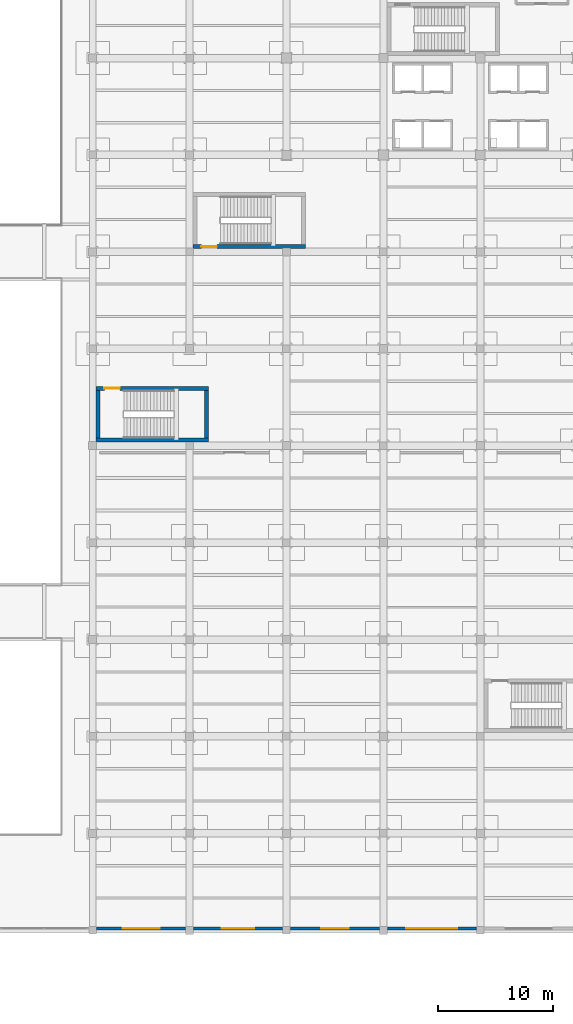
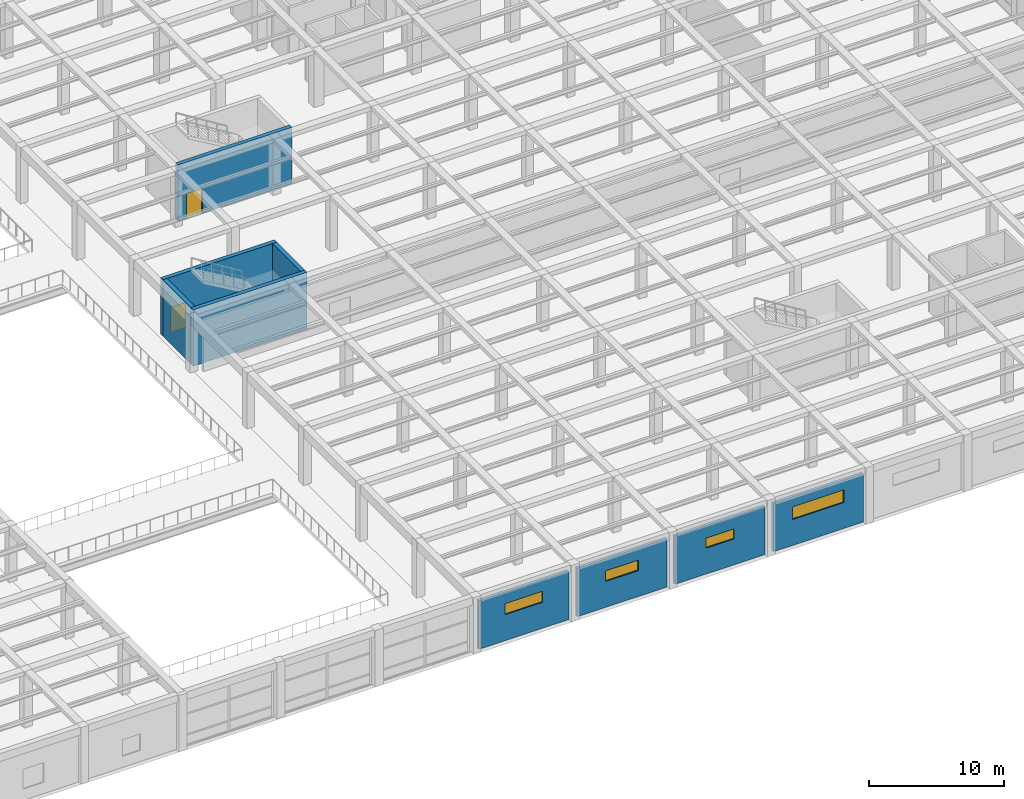
# One storey, part 78 of 95: 9 walls, 4 windows, 2 doors, 6 openings.
"""IFC4 building model written with IfcOpenShell, lengths in metres."""

from ifc_helpers import new_model, si_unit, direction, frame, frame_2d, origin, place, context, subcontext, project, spatial, rectangle, extrude, material, layer, layer_set, type_object, element, fill, save


model = new_model("IFC4")

# Units and contexts
model_context = context("Model", 3, precision=1e-05, world=origin(), true_north=direction((0.0, 1.0)))
body_context = subcontext(model_context, "Body", "Model", "MODEL_VIEW")
ifc_project = project(units=[si_unit("LENGTHUNIT", "METRE"), si_unit("AREAUNIT", "SQUARE_METRE"), si_unit("VOLUMEUNIT", "CUBIC_METRE"), si_unit("PLANEANGLEUNIT", "RADIAN"), si_unit("MASSUNIT", "GRAM", prefix="KILO")], contexts=[model_context])

# Site, building, storey
site_placement = place(None, origin())
site = spatial("IfcSite", under=ifc_project, at=site_placement, CompositionType="ELEMENT")
building_placement = place(site_placement, origin())
building = spatial("IfcBuilding", under=site, at=building_placement, Name="Almacenes y Pasaje Nevantli", CompositionType="ELEMENT")
storey_placement = place(building_placement, frame((0.0, 0.0, 11.39990234375)))
storey = spatial("IfcBuildingStorey", under=building, at=storey_placement, Name="L03", CompositionType="ELEMENT", Elevation=11.39990234375)

# Wall
ifc_material_1 = material(Name="Concrete C45/55", Category="concrete")
ifc_layer_1 = layer(ifc_material_1, 0.35009765625)
ifc_layer_set_1 = layer_set([ifc_layer_1], Name="Concrete C45/55")
wall_type_1 = type_object("IfcWallType", Name="WL-CORE-350", PredefinedType="SHEAR", material=ifc_layer_set_1)
wall_1_placement = place(storey_placement, frame((92.699951171875, 42.47509765625, 0.0), z_axis=(0.0, 0.0, 1.0), x_axis=(1.0, 0.0, 0.0)))
element("IfcWall", 1, at=wall_1_placement, inside=storey, type_object=wall_type_1, Name="L03 Exit Stair ST-08 South Core Shear Wall", PredefinedType="SHEAR", context=body_context, shape_type="SweptSolid", body=[
    extrude(rectangle(XDim=9.75, YDim=0.35009765625, at=frame_2d((4.875, 0.0))), origin(), (0.0, 0.0, 1.0), 5.10009765625),
])

# Wall, opening, door
wall_2_placement = place(storey_placement, frame((92.699951171875, 46.97509765625, 0.0), z_axis=(0.0, 0.0, 1.0), x_axis=(1.0, 0.0, 0.0)))
wall_2 = element("IfcWall", 2, at=wall_2_placement, inside=storey, type_object=wall_type_1, Name="L03 Exit Stair ST-08 North Core Shear Wall", PredefinedType="SHEAR", context=body_context, shape_type="SweptSolid", body=[
    extrude(rectangle(XDim=9.75, YDim=0.35009765625, at=frame_2d((4.875, 0.0))), origin(), (0.0, 0.0, 1.0), 5.10009765625),
])
opening_1_placement = place(wall_2_placement, frame((0.719970703125, 0.0, 0.0)))
opening_1 = element("IfcOpeningElement", 3, at=opening_1_placement, cuts=wall_2, Name="Opening SD-08-L03", PredefinedType="OPENING", context=body_context, shape_type="SweptSolid", body=[
    extrude(rectangle(XDim=1.35009765625, YDim=2.25, at=frame_2d((0.675048828125, 1.125))), frame((0.0, 0.18505859375, 0.0), z_axis=(0.0, -1.0, 0.0), x_axis=(1.0, 0.0, 0.0)), (0.0, 0.0, 1.0), 0.3701171875),
])
ifc_material_2 = material(Name="Galvanized Fire-Rated Steel", Category="steel")
door_type_1 = type_object("IfcDoorType", Name="DR-STAIR-1350R", OperationType="SINGLE_SWING_RIGHT", PredefinedType="DOOR", material=ifc_material_2)
door_1_placement = place(opening_1_placement, origin())
door_1 = element("IfcDoor", 4, at=door_1_placement, inside=storey, type_object=door_type_1, Name="L03 Smokeproof Exit Stair ST-08 Fire Door", OperationType="SINGLE_SWING_RIGHT", OverallHeight=2.25, OverallWidth=1.35009765625, PredefinedType="DOOR", context=body_context, shape_type="SweptSolid", body=[
    extrude(rectangle(XDim=1.35009765625, YDim=2.25, at=frame_2d((0.675048828125, 1.125))), frame((0.0, 0.02490234375, 0.0), z_axis=(0.0, -1.0, 0.0), x_axis=(1.0, 0.0, 0.0)), (0.0, 0.0, 1.0), 0.050048828125),
])
fill(opening_1, door_1)

# Walls
for number, where, z_axis, x_axis, name in (
    (5, (92.875, 42.64990234375, 0.0), (0.0, 0.0, 1.0), (0.0, 1.0, 0.0), "L03 Exit Stair ST-08 West Core Shear Wall"),
    (6, (102.27490234375, 42.64990234375, 0.0), (0.0, 0.0, 1.0), (0.0, 1.0, 0.0), "L03 Exit Stair ST-08 East Core Shear Wall"),
):
    element("IfcWall", number, at=place(storey_placement, frame(where, z_axis=z_axis, x_axis=x_axis)), inside=storey, type_object=wall_type_1, Name=name, PredefinedType="SHEAR", context=body_context, shape_type="SweptSolid", body=[
        extrude(rectangle(XDim=4.150146484375, YDim=0.35009765625, at=frame_2d((2.0751953125, 0.0))), origin(), (0.0, 0.0, 1.0), 5.10009765625),
    ])

# Wall, opening, door
wall_3_placement = place(storey_placement, frame((101.10009765625, 59.27490234375, 0.0), z_axis=(0.0, 0.0, 1.0), x_axis=(1.0, 0.0, 0.0)))
wall_3 = element("IfcWall", 7, at=wall_3_placement, inside=storey, type_object=wall_type_1, Name="L03 Exit Stair ST-13 South Core Shear Wall", PredefinedType="SHEAR", context=body_context, shape_type="SweptSolid", body=[
    extrude(rectangle(XDim=9.75, YDim=0.35009765625, at=frame_2d((4.875, 0.0))), origin(), (0.0, 0.0, 1.0), 5.10009765625),
])
opening_2_placement = place(wall_3_placement, frame((0.719970703125, 0.0, 0.0)))
opening_2 = element("IfcOpeningElement", 8, at=opening_2_placement, cuts=wall_3, Name="Opening SD-13-L03", PredefinedType="OPENING", context=body_context, shape_type="SweptSolid", body=[
    extrude(rectangle(XDim=1.35009765625, YDim=2.25, at=frame_2d((0.675048828125, 1.125))), frame((0.0, 0.18505859375, 0.0), z_axis=(0.0, -1.0, 0.0), x_axis=(1.0, 0.0, 0.0)), (0.0, 0.0, 1.0), 0.3701171875),
])
ifc_material_3 = material(Name="Galvanized Fire-Rated Steel", Category="steel")
door_type_2 = type_object("IfcDoorType", Name="DR-STAIR-1350", OperationType="SINGLE_SWING_LEFT", PredefinedType="DOOR", material=ifc_material_3)
door_2_placement = place(opening_2_placement, origin())
door_2 = element("IfcDoor", 9, at=door_2_placement, inside=storey, type_object=door_type_2, Name="L03 Smokeproof Exit Stair ST-13 Fire Door", OperationType="SINGLE_SWING_LEFT", OverallHeight=2.25, OverallWidth=1.35009765625, PredefinedType="DOOR", context=body_context, shape_type="SweptSolid", body=[
    extrude(rectangle(XDim=1.35009765625, YDim=2.25, at=frame_2d((0.675048828125, 1.125))), frame((0.0, 0.02490234375, 0.0), z_axis=(0.0, -1.0, 0.0), x_axis=(1.0, 0.0, 0.0)), (0.0, 0.0, 1.0), 0.050048828125),
])
fill(opening_2, door_2)

# Wall, opening, window
ifc_material_4 = material(Name="Cream Architectural Precast Concrete C35/45 Wall", Category="concrete")
ifc_layer_2 = layer(ifc_material_4, 0.260009765625)
ifc_layer_set_2 = layer_set([ifc_layer_2], Name="Cream Architectural Precast Concrete C35/45 Wall")
wall_type_2 = type_object("IfcWallType", Name="WL-EXT-PRECAST-260", PredefinedType="SOLIDWALL", material=ifc_layer_set_2)
wall_4_placement = place(storey_placement, frame((92.72802734375, 0.14990234375, 0.0), z_axis=(0.0, 0.0, 1.0), x_axis=(1.0, 0.0, 0.0)))
wall_4 = element("IfcWall", 10, at=wall_4_placement, inside=storey, type_object=wall_type_2, Name="L03 South Stockroom Clerestory Wall Bay 12", PredefinedType="SOLIDWALL", context=body_context, shape_type="SweptSolid", body=[
    extrude(rectangle(XDim=7.719970703125, YDim=0.260009765625, at=frame_2d((3.85986328125, 0.0))), origin(), (0.0, 0.0, 1.0), 4.380126953125),
])
opening_3_placement = place(wall_4_placement, frame((2.27197265625, 0.0, 2.35009765625)))
opening_3 = element("IfcOpeningElement", 11, at=opening_3_placement, cuts=wall_4, Name="Opening WT-23-104", PredefinedType="OPENING", context=body_context, shape_type="SweptSolid", body=[
    extrude(rectangle(XDim=3.199951171875, YDim=1.0, at=frame_2d((1.60009765625, 0.5))), frame((0.0, 0.139892578125, 0.0), z_axis=(0.0, -1.0, 0.0), x_axis=(1.0, 0.0, 0.0)), (0.0, 0.0, 1.0), 0.280029296875),
])
ifc_material_5 = material(Name="Thermally Broken Aluminium and Low-E Double Glazing", Category="aluminium")
window_type_1 = type_object("IfcWindowType", Name="WN-CLR-3200x1000", PartitioningType="SINGLE_PANEL", PredefinedType="WINDOW", material=ifc_material_5)
window_1_placement = place(opening_3_placement, origin())
window_1 = element("IfcWindow", 12, at=window_1_placement, inside=storey, type_object=window_type_1, Name="L03 Exterior Window WT-23 #104", OverallHeight=1.0, OverallWidth=3.199951171875, PartitioningType="SINGLE_PANEL", PredefinedType="WINDOW", context=body_context, shape_type="SweptSolid", body=[
    extrude(rectangle(XDim=3.199951171875, YDim=1.0, at=frame_2d((1.60009765625, 0.5))), frame((0.0, 0.030029296875, 0.0), z_axis=(0.0, -1.0, 0.0), x_axis=(1.0, 0.0, 0.0)), (0.0, 0.0, 1.0), 0.06005859375),
])
fill(opening_3, window_1)

wall_5_placement = place(storey_placement, frame((101.152099609375, 0.14990234375, 0.0), z_axis=(0.0, 0.0, 1.0), x_axis=(1.0, 0.0, 0.0)))
wall_5 = element("IfcWall", 13, at=wall_5_placement, inside=storey, type_object=wall_type_2, Name="L03 South Stockroom Clerestory Wall Bay 13", PredefinedType="SOLIDWALL", context=body_context, shape_type="SweptSolid", body=[
    extrude(rectangle(XDim=7.719970703125, YDim=0.260009765625, at=frame_2d((3.85986328125, 0.0))), origin(), (0.0, 0.0, 1.0), 4.380126953125),
])
opening_4_placement = place(wall_5_placement, frame((2.447998046875, 0.0, 2.35009765625)))
opening_4 = element("IfcOpeningElement", 14, at=opening_4_placement, cuts=wall_5, Name="Opening WT-24-105", PredefinedType="OPENING", context=body_context, shape_type="SweptSolid", body=[
    extrude(rectangle(XDim=2.800048828125, YDim=0.949951171875, at=frame_2d((1.39990234375, 0.47509765625))), frame((0.0, 0.139892578125, 0.0), z_axis=(0.0, -1.0, 0.0), x_axis=(1.0, 0.0, 0.0)), (0.0, 0.0, 1.0), 0.280029296875),
])
ifc_material_6 = material(Name="Thermally Broken Aluminium and Low-E Double Glazing", Category="aluminium")
window_type_2 = type_object("IfcWindowType", Name="WN-CLR-2800x0950", PartitioningType="SINGLE_PANEL", PredefinedType="WINDOW", material=ifc_material_6)
window_2_placement = place(opening_4_placement, origin())
window_2 = element("IfcWindow", 15, at=window_2_placement, inside=storey, type_object=window_type_2, Name="L03 Exterior Window WT-24 #105", OverallHeight=0.949951171875, OverallWidth=2.800048828125, PartitioningType="SINGLE_PANEL", PredefinedType="WINDOW", context=body_context, shape_type="SweptSolid", body=[
    extrude(rectangle(XDim=2.800048828125, YDim=0.949951171875, at=frame_2d((1.39990234375, 0.47509765625))), frame((0.0, 0.030029296875, 0.0), z_axis=(0.0, -1.0, 0.0), x_axis=(1.0, 0.0, 0.0)), (0.0, 0.0, 1.0), 0.06005859375),
])
fill(opening_4, window_2)

wall_6_placement = place(storey_placement, frame((109.528076171875, 0.14990234375, 0.0), z_axis=(0.0, 0.0, 1.0), x_axis=(1.0, 0.0, 0.0)))
wall_6 = element("IfcWall", 16, at=wall_6_placement, inside=storey, type_object=wall_type_2, Name="L03 South Stockroom Clerestory Wall Bay 14", PredefinedType="SOLIDWALL", context=body_context, shape_type="SweptSolid", body=[
    extrude(rectangle(XDim=7.718017578125, YDim=0.260009765625, at=frame_2d((3.85888671875, 0.0))), origin(), (0.0, 0.0, 1.0), 4.380126953125),
])
opening_5_placement = place(wall_6_placement, frame((2.672119140625, 0.0, 2.35009765625)))
opening_5 = element("IfcOpeningElement", 17, at=opening_5_placement, cuts=wall_6, Name="Opening WT-25-106", PredefinedType="OPENING", context=body_context, shape_type="SweptSolid", body=[
    extrude(rectangle(XDim=2.39990234375, YDim=0.89990234375, at=frame_2d((1.199951171875, 0.449951171875))), frame((0.0, 0.139892578125, 0.0), z_axis=(0.0, -1.0, 0.0), x_axis=(1.0, 0.0, 0.0)), (0.0, 0.0, 1.0), 0.280029296875),
])
ifc_material_7 = material(Name="Thermally Broken Aluminium and Low-E Double Glazing", Category="aluminium")
window_type_3 = type_object("IfcWindowType", Name="WN-CLR-2400x0900", PartitioningType="SINGLE_PANEL", PredefinedType="WINDOW", material=ifc_material_7)
window_3_placement = place(opening_5_placement, origin())
window_3 = element("IfcWindow", 18, at=window_3_placement, inside=storey, type_object=window_type_3, Name="L03 Exterior Window WT-25 #106", OverallHeight=0.89990234375, OverallWidth=2.39990234375, PartitioningType="SINGLE_PANEL", PredefinedType="WINDOW", context=body_context, shape_type="SweptSolid", body=[
    extrude(rectangle(XDim=2.39990234375, YDim=0.89990234375, at=frame_2d((1.199951171875, 0.449951171875))), frame((0.0, 0.030029296875, 0.0), z_axis=(0.0, -1.0, 0.0), x_axis=(1.0, 0.0, 0.0)), (0.0, 0.0, 1.0), 0.06005859375),
])
fill(opening_5, window_3)

wall_7_placement = place(storey_placement, frame((117.951904296875, 0.14990234375, 0.0), z_axis=(0.0, 0.0, 1.0), x_axis=(1.0, 0.0, 0.0)))
wall_7 = element("IfcWall", 19, at=wall_7_placement, inside=storey, type_object=wall_type_2, Name="L03 South Stockroom Clerestory Wall Bay 15", PredefinedType="SOLIDWALL", context=body_context, shape_type="SweptSolid", body=[
    extrude(rectangle(XDim=7.72021484375, YDim=0.260009765625, at=frame_2d((3.860107421875, 0.0))), origin(), (0.0, 0.0, 1.0), 4.380126953125),
])
opening_6_placement = place(wall_7_placement, frame((1.64794921875, 0.0, 2.35009765625)))
opening_6 = element("IfcOpeningElement", 20, at=opening_6_placement, cuts=wall_7, Name="Opening WT-20-107", PredefinedType="OPENING", context=body_context, shape_type="SweptSolid", body=[
    extrude(rectangle(XDim=4.39990234375, YDim=1.14990234375, at=frame_2d((2.199951171875, 0.574951171875))), frame((0.0, 0.139892578125, 0.0), z_axis=(0.0, -1.0, 0.0), x_axis=(1.0, 0.0, 0.0)), (0.0, 0.0, 1.0), 0.280029296875),
])
ifc_material_8 = material(Name="Thermally Broken Aluminium and Low-E Double Glazing", Category="aluminium")
window_type_4 = type_object("IfcWindowType", Name="WN-CLR-4400x1150", PartitioningType="SINGLE_PANEL", PredefinedType="WINDOW", material=ifc_material_8)
window_4_placement = place(opening_6_placement, origin())
window_4 = element("IfcWindow", 21, at=window_4_placement, inside=storey, type_object=window_type_4, Name="L03 Exterior Window WT-20 #107", OverallHeight=1.14990234375, OverallWidth=4.39990234375, PartitioningType="SINGLE_PANEL", PredefinedType="WINDOW", context=body_context, shape_type="SweptSolid", body=[
    extrude(rectangle(XDim=4.39990234375, YDim=1.14990234375, at=frame_2d((2.199951171875, 0.574951171875))), frame((0.0, 0.030029296875, 0.0), z_axis=(0.0, -1.0, 0.0), x_axis=(1.0, 0.0, 0.0)), (0.0, 0.0, 1.0), 0.06005859375),
])
fill(opening_6, window_4)

save(model, "model.ifc")
